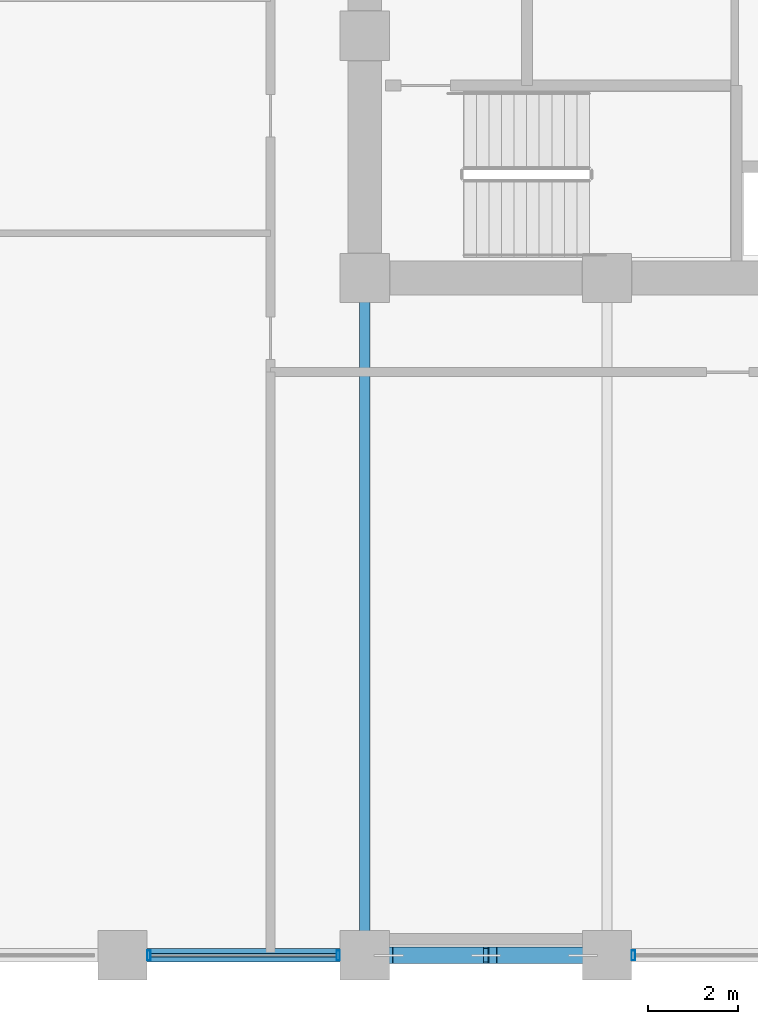
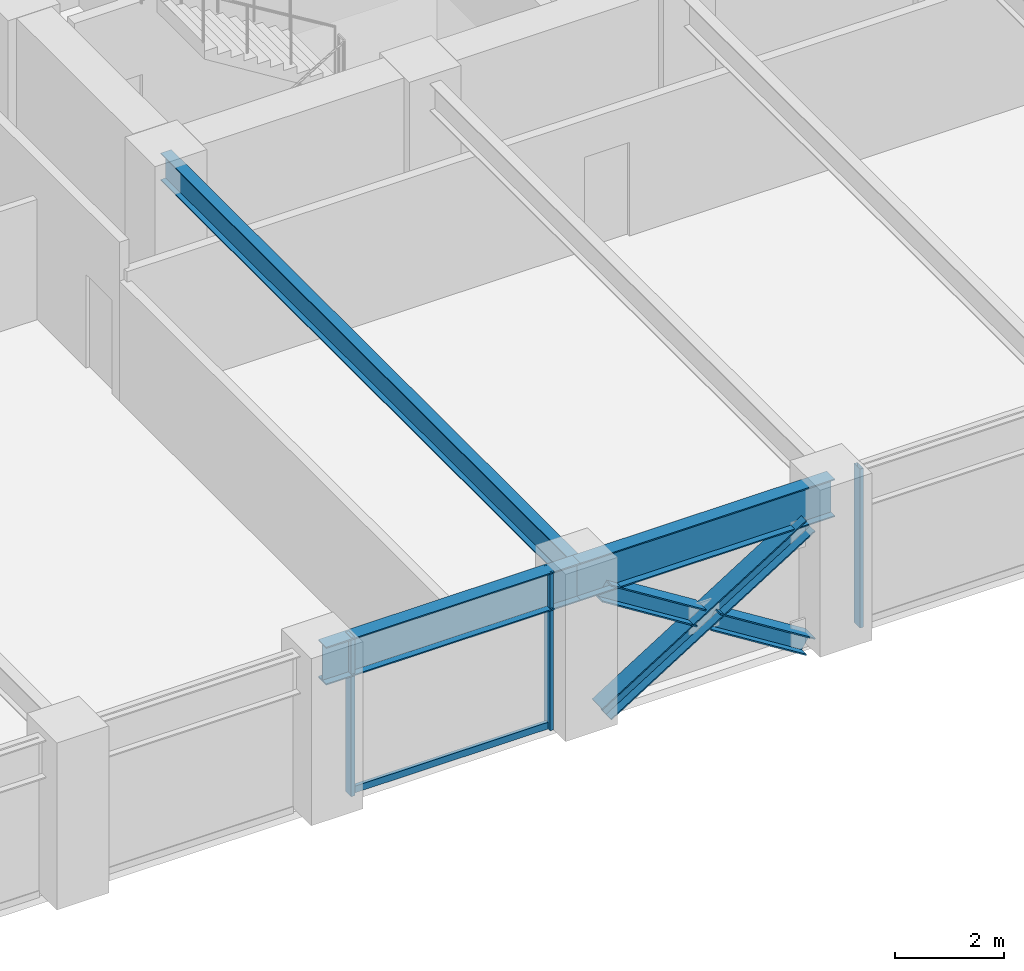
# One storey, part 4 of 26: 7 members, 3 beams, 2 elements without a shape of their own.
"""IFC4 building model written with IfcOpenShell, lengths in metres."""

from ifc_helpers import new_model, si_unit, direction, frame, origin, origin_2d, place, context, subcontext, project, spatial, hollow_rectangle, i_section, extrude, material, layer, layer_set, material_profile, profile_set, type_object, element, aggregate, save


model = new_model("IFC4")

# Units and contexts
model_context = context("Model", 3, precision=1e-05, world=origin(), true_north=direction((0.0, 1.0)))
body_context = subcontext(model_context, "Body", "Model", "MODEL_VIEW")
ifc_project = project(units=[si_unit("LENGTHUNIT", "METRE"), si_unit("AREAUNIT", "SQUARE_METRE"), si_unit("VOLUMEUNIT", "CUBIC_METRE"), si_unit("PLANEANGLEUNIT", "RADIAN"), si_unit("MASSUNIT", "GRAM", prefix="KILO")], contexts=[model_context])

# Site, building, storey
site_placement = place(None, origin())
site = spatial("IfcSite", under=ifc_project, at=site_placement, CompositionType="ELEMENT")
building_placement = place(site_placement, origin())
building = spatial("IfcBuilding", under=site, at=building_placement, Name="Surkhivell Harbour Commons", CompositionType="ELEMENT")
storey_placement = place(building_placement, frame((0.0, 0.0, 102.0)))
storey = spatial("IfcBuildingStorey", under=building, at=storey_placement, Name="L26", CompositionType="ELEMENT", Elevation=102.0)

# Beams
ifc_material_1 = material(Name="Steel S355", Category="steel")
ifc_material_profile_1 = material_profile(ifc_material_1, i_section(OverallWidth=0.22998046875, OverallDepth=0.616943359375, WebThickness=0.01318359375, FlangeThickness=0.022216796875, at=origin_2d()), Name="UB610x229x140")
ifc_profile_set_1 = profile_set([ifc_material_profile_1], Name="Steel S355")
beam_type_1 = type_object("IfcBeamType", Name="BM-GRD-610B", PredefinedType="BEAM", material=ifc_profile_set_1)
beam_1_placement = place(storey_placement, frame((-10.800048828125, -25.89990234375, 3.261474609375), z_axis=(0.0, 1.0, 0.0), x_axis=(-1.0, 0.0, 0.0)))
element("IfcBeam", 1, at=beam_1_placement, inside=storey, type_object=beam_type_1, Name="L26 Floor Girder (-10.8,-25.9)", PredefinedType="BEAM", context=body_context, shape_type="SweptSolid", body=[
    extrude(i_section(OverallWidth=0.22998046875, OverallDepth=0.616943359375, WebThickness=0.01318359375, FlangeThickness=0.022216796875, at=origin_2d()), origin(), (0.0, 0.0, 1.0), 15.099853515625),
])
ifc_material_2 = material(Name="Steel S460", Category="steel")
ifc_material_profile_2 = material_profile(ifc_material_2, i_section(OverallWidth=0.2939453125, OverallDepth=0.85107421875, WebThickness=0.01611328125, FlangeThickness=0.02685546875, at=origin_2d()), Name="UB838x292x226")
ifc_profile_set_2 = profile_set([ifc_material_profile_2], Name="Steel S460")
beam_type_2 = type_object("IfcBeamType", Name="BM-SPN-838", PredefinedType="SPANDREL", material=ifc_profile_set_2)
beam_2_placement = place(storey_placement, frame((-16.199951171875, -25.89990234375, 3.14453125), z_axis=(1.0, 0.0, 0.0), x_axis=(0.0, 1.0, 0.0)))
element("IfcBeam", 2, at=beam_2_placement, inside=storey, type_object=beam_type_2, Name="L26 Tube Spandrel (-16.2,-25.9)", PredefinedType="SPANDREL", context=body_context, shape_type="SweptSolid", body=[
    extrude(i_section(OverallWidth=0.2939453125, OverallDepth=0.85107421875, WebThickness=0.01611328125, FlangeThickness=0.02685546875, at=origin_2d()), origin(), (0.0, 0.0, 1.0), 5.39990234375),
])
beam_3_placement = place(storey_placement, frame((-10.800048828125, -25.89990234375, 3.14453125), z_axis=(1.0, 0.0, 0.0), x_axis=(0.0, 1.0, 0.0)))
element("IfcBeam", 3, at=beam_3_placement, inside=storey, type_object=beam_type_2, Name="L26 Tube Spandrel (-10.8,-25.9)", PredefinedType="SPANDREL", context=body_context, shape_type="SweptSolid", body=[
    extrude(i_section(OverallWidth=0.2939453125, OverallDepth=0.85107421875, WebThickness=0.01611328125, FlangeThickness=0.02685546875, at=origin_2d()), origin(), (0.0, 0.0, 1.0), 5.400146484375),
])

# Curtain wall, members
ifc_material_3 = material(Name="Anodised pale-metal aluminium and insulated glazing", Category="aluminium")
ifc_layer = layer(ifc_material_3, 0.205078125)
ifc_layer_set = layer_set([ifc_layer], Name="Anodised pale-metal aluminium and insulated glazing")
curtain_wall_type = type_object("IfcCurtainWallType", Name="CW-SYS-Z2", PredefinedType="NOTDEFINED", material=ifc_layer_set)
curtain_wall_1_placement = place(storey_placement, origin())
curtain_wall_1 = element("IfcCurtainWall", 4, at=curtain_wall_1_placement, inside=storey, type_object=curtain_wall_type, Name="L26 Curtain Wall CW-L26-E00S1", PredefinedType="NOTDEFINED")
ifc_material_4 = material(Name="Anodised pale-metal aluminium alloy 6063-T6", Category="aluminium")
ifc_material_profile_3 = material_profile(ifc_material_4, hollow_rectangle(XDim=0.074951171875, YDim=0.219970703125, WallThickness=0.00390625, at=origin_2d()), Name="ALU-MULL-75x220")
ifc_profile_set_3 = profile_set([ifc_material_profile_3], Name="Anodised pale-metal aluminium alloy 6063-T6")
member_type_1 = type_object("IfcMemberType", Name="CWM-220", PredefinedType="MULLION", material=ifc_profile_set_3)
member_1_placement = place(storey_placement, frame((-15.610595703125, -25.89990234375, 0.0), z_axis=(0.0, 0.0, 1.0), x_axis=(1.0, 0.0, 0.0)))
member_1 = element("IfcMember", 5, at=member_1_placement, type_object=member_type_1, Name="CW-Z2 mullion 3", PredefinedType="MULLION", context=body_context, shape_type="SweptSolid", body=[
    extrude(hollow_rectangle(XDim=0.074951171875, YDim=0.219970703125, WallThickness=0.00390625, at=origin_2d()), origin(), (0.0, 0.0, 1.0), 3.570068359375),
])
member_2_placement = place(storey_placement, frame((-11.389404296875, -25.89990234375, 0.0), z_axis=(0.0, 0.0, 1.0), x_axis=(1.0, 0.0, 0.0)))
member_2 = element("IfcMember", 6, at=member_2_placement, type_object=member_type_1, Name="CW-Z2 mullion 4", PredefinedType="MULLION", context=body_context, shape_type="SweptSolid", body=[
    extrude(hollow_rectangle(XDim=0.074951171875, YDim=0.219970703125, WallThickness=0.00390625, at=origin_2d()), origin(), (0.0, 0.0, 1.0), 3.570068359375),
])

# Curtain wall, member
curtain_wall_2_placement = place(storey_placement, origin())
curtain_wall_2 = element("IfcCurtainWall", 7, at=curtain_wall_2_placement, inside=storey, type_object=curtain_wall_type, Name="L26 Curtain Wall CW-L26-E00S2", PredefinedType="NOTDEFINED")
member_3_placement = place(storey_placement, frame((-4.810546875, -25.89990234375, 0.0), z_axis=(0.0, 0.0, 1.0), x_axis=(1.0, 0.0, 0.0)))
member_3 = element("IfcMember", 8, at=member_3_placement, type_object=member_type_1, Name="CW-Z2 mullion 1", PredefinedType="MULLION", context=body_context, shape_type="SweptSolid", body=[
    extrude(hollow_rectangle(XDim=0.074951171875, YDim=0.219970703125, WallThickness=0.00390625, at=origin_2d()), origin(), (0.0, 0.0, 1.0), 3.570068359375),
])
aggregate(curtain_wall_2, [member_3])

# Member
ifc_material_profile_4 = material_profile(ifc_material_4, hollow_rectangle(XDim=0.074951171875, YDim=0.14990234375, WallThickness=0.00341796875, at=origin_2d()), Name="ALU-TRAN-75x150")
ifc_profile_set_4 = profile_set([ifc_material_profile_4], Name="Anodised pale-metal aluminium alloy 6063-T6")
member_type_2 = type_object("IfcMemberType", Name="CWT-150", PredefinedType="USERDEFINED", material=ifc_profile_set_4)
member_4_placement = place(storey_placement, frame((-15.572998046875, -25.89990234375, 0.074951171875), z_axis=(1.0, 0.0, 0.0), x_axis=(0.0, 1.0, 0.0)))
member_4 = element("IfcMember", 9, at=member_4_placement, type_object=member_type_2, Name="CW-Z2 transom 3.1", ObjectType="TRANSOM", PredefinedType="USERDEFINED", context=body_context, shape_type="SweptSolid", body=[
    extrude(hollow_rectangle(XDim=0.074951171875, YDim=0.14990234375, WallThickness=0.00341796875, at=origin_2d()), origin(), (0.0, 0.0, 1.0), 4.14599609375),
])

aggregate(curtain_wall_1, [member_1, member_2, member_4])

# Members
ifc_material_profile_5 = material_profile(ifc_material_2, i_section(OverallWidth=0.375, OverallDepth=0.375, WebThickness=0.0166015625, FlangeThickness=0.027099609375, at=origin_2d()), Name="UC356x368x202")
ifc_profile_set_5 = profile_set([ifc_material_profile_5], Name="Steel S460")
member_type_3 = type_object("IfcMemberType", Name="MEM-BRC-UC356", PredefinedType="BRACE", material=ifc_profile_set_5)
member_5_placement = place(storey_placement, frame((-10.264892578125, -25.89990234375, 0.008056640625), z_axis=(0.847232535652, 0.0, 0.53122220448), x_axis=(0.0, 1.0, 0.0)))
element("IfcMember", 10, at=member_5_placement, inside=storey, type_object=member_type_3, Name="L26 Perimeter Mega-Brace MB- 07", PredefinedType="BRACE", context=body_context, shape_type="SweptSolid", body=[
    extrude(i_section(OverallWidth=0.375, OverallDepth=0.375, WebThickness=0.0166015625, FlangeThickness=0.027099609375, at=origin_2d()), origin(), (0.0, 0.0, 1.0), 5.110595703125),
])
member_6_placement = place(storey_placement, frame((-5.93505859375, -25.89990234375, 0.008056640625), z_axis=(-0.847206308526, 0.0, 0.53126403115), x_axis=(0.0, -1.0, 0.0)))
element("IfcMember", 11, at=member_6_placement, inside=storey, type_object=member_type_3, Name="L26 Perimeter Mega-Brace MB- 08", PredefinedType="BRACE", context=body_context, shape_type="SweptSolid", body=[
    extrude(i_section(OverallWidth=0.375, OverallDepth=0.375, WebThickness=0.0166015625, FlangeThickness=0.027099609375, at=origin_2d()), origin(), (0.0, 0.0, 1.0), 2.37548828125),
])
member_7_placement = place(storey_placement, frame((-8.25244140625, -25.89990234375, 1.461181640625), z_axis=(-0.84725256761, 0.0, 0.53119025469), x_axis=(0.0, -1.0, 0.0)))
element("IfcMember", 12, at=member_7_placement, inside=storey, type_object=member_type_3, Name="L26 Perimeter Mega-Brace MB- 09", PredefinedType="BRACE", context=body_context, shape_type="SweptSolid", body=[
    extrude(i_section(OverallWidth=0.375, OverallDepth=0.375, WebThickness=0.0166015625, FlangeThickness=0.027099609375, at=origin_2d()), origin(), (0.0, 0.0, 1.0), 2.375244140625),
])

save(model, "model.ifc")
